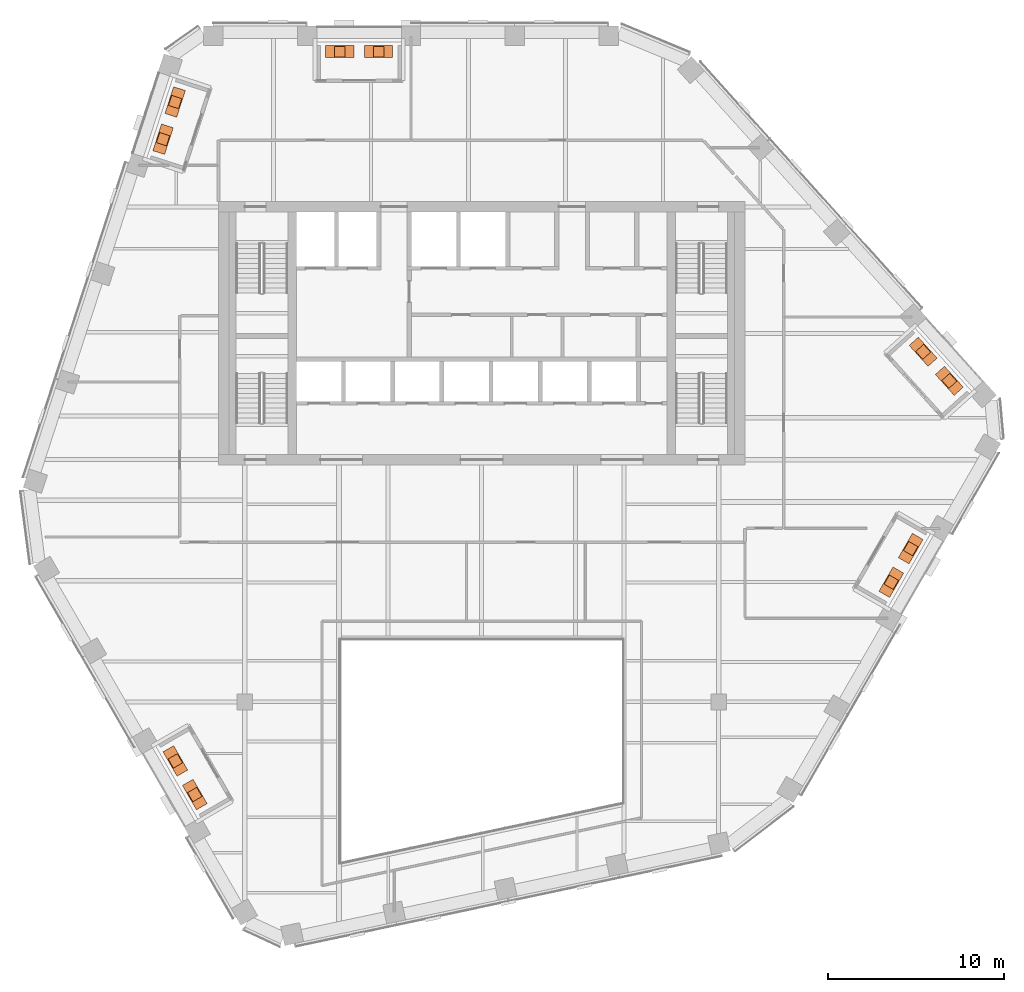
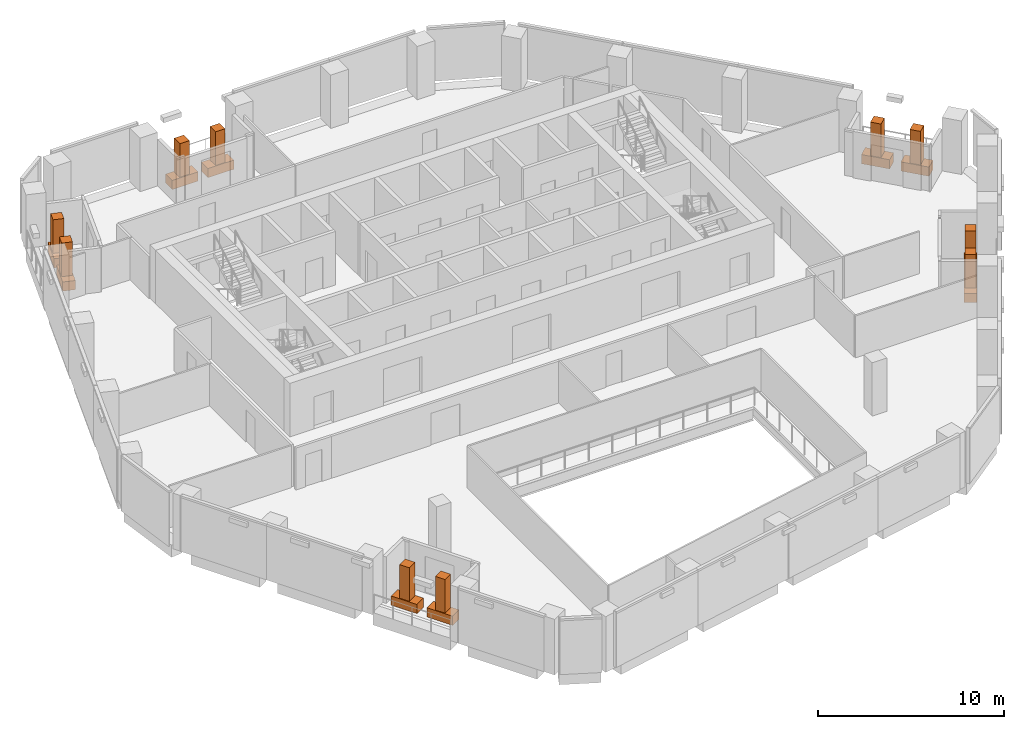
# One storey, part 25 of 25: 10 geographic elements, 10 proxies.
"""IFC4 building model written with IfcOpenShell, lengths in metres."""

from ifc_helpers import new_model, si_unit, direction, frame, origin, origin_2d, place, context, subcontext, project, spatial, rectangle, extrude, material, type_object, element, save


model = new_model("IFC4")

# Units and contexts
model_context = context("Model", 3, precision=1e-05, world=origin(), true_north=direction((0.0, 1.0)))
body_context = subcontext(model_context, "Body", "Model", "MODEL_VIEW")
ifc_project = project(units=[si_unit("LENGTHUNIT", "METRE"), si_unit("AREAUNIT", "SQUARE_METRE"), si_unit("VOLUMEUNIT", "CUBIC_METRE"), si_unit("PLANEANGLEUNIT", "RADIAN"), si_unit("MASSUNIT", "GRAM", prefix="KILO")], contexts=[model_context])

# Site, building, storey
site_placement = place(None, origin())
site = spatial("IfcSite", under=ifc_project, at=site_placement, CompositionType="ELEMENT")
building_placement = place(site_placement, origin())
building = spatial("IfcBuilding", under=site, at=building_placement, Name="Isthmus Gate Tower", CompositionType="ELEMENT")
storey_placement = place(building_placement, frame((0.0, 0.0, 249.14990234375)))
storey = spatial("IfcBuildingStorey", under=building, at=storey_placement, Name="L63", CompositionType="ELEMENT", Elevation=249.14990234375)

# Geographic elements
ifc_material_1 = material(Name="Plant material, broadleaf tree")
geographic_element_type = type_object("IfcGeographicElementType", Name="BROADLEAF TREE 2200 HIGH", PredefinedType="USERDEFINED", material=ifc_material_1)
for number, where, z_axis, x_axis, name in (
    (1, (-5.87890625, 23.550048828125, 0.60009765625), (0.0, 0.0, 1.0), (-1.0, 0.0, 0.0), "TREE"),
    (2, (-8.091796875, 23.550048828125, 0.60009765625), (0.0, 0.0, 1.0), (-1.0, 0.0, 0.0), "TREE"),
    (3, (-17.468994140625, 20.677490234375, 0.60009765625), (0.0, 0.0, 1.0), (-0.309016994375, -0.951056516295, 0.0), "TREE"),
    (4, (-18.1572265625, 18.55908203125, 0.60009765625), (0.0, 0.0, 1.0), (-0.309016994375, -0.951056516295, 0.0), "TREE"),
    (5, (-17.455322265625, -16.8662109375, 0.60009765625), (0.0, 0.0, 1.0), (0.5, -0.866025403784, 0.0), "TREE"),
    (6, (-16.348876953125, -18.78271484375, 0.60009765625), (0.0, 0.0, 1.0), (0.5, -0.866025403784, 0.0), "TREE"),
    (7, (23.33447265625, -6.68359375, 0.60009765625), (0.0, 0.0, 1.0), (0.5, 0.866025403784, 0.0), "TREE"),
    (8, (24.44091796875, -4.767333984375, 0.60009765625), (0.0, 0.0, 1.0), (0.5, 0.866025403784, 0.0), "TREE"),
    (9, (26.6416015625, 4.7900390625, 0.60009765625), (0.0, 0.0, 1.0), (-0.669130606359, 0.743144825477, 0.0), "TREE"),
    (10, (25.1513671875, 6.445068359375, 0.60009765625), (0.0, 0.0, 1.0), (-0.669130606359, 0.743144825477, 0.0), "TREE"),
):
    element("IfcGeographicElement", number, at=place(storey_placement, frame(where, z_axis=z_axis, x_axis=x_axis)), inside=storey, type_object=geographic_element_type, Name=name, ObjectType="TREE", PredefinedType="USERDEFINED", context=body_context, shape_type="SweptSolid", body=[
        extrude(rectangle(XDim=0.60009765625, YDim=0.60009765625, at=origin_2d()), origin(), (0.0, 0.0, 1.0), 2.199951171875),
    ])

# Proxies
ifc_material_2 = material(Name="Concrete f'c 40 MPa", Category="concrete")
building_element_proxy_type = type_object("IfcBuildingElementProxyType", Name="CONCRETE PLANTER 1600 X 700 X 600", PredefinedType="USERDEFINED", material=ifc_material_2)
for number, where, z_axis, x_axis, name in (
    (11, (-5.87890625, 23.550048828125, 0.0), (0.0, 0.0, 1.0), (-1.0, 0.0, 0.0), "PLANTER"),
    (12, (-8.091796875, 23.550048828125, 0.0), (0.0, 0.0, 1.0), (-1.0, 0.0, 0.0), "PLANTER"),
    (13, (-17.468994140625, 20.677490234375, 0.0), (0.0, 0.0, 1.0), (-0.309016994375, -0.951056516295, 0.0), "PLANTER"),
    (14, (-18.1572265625, 18.55908203125, 0.0), (0.0, 0.0, 1.0), (-0.309016994375, -0.951056516295, 0.0), "PLANTER"),
    (15, (-17.455322265625, -16.8662109375, 0.0), (0.0, 0.0, 1.0), (0.5, -0.866025403784, 0.0), "PLANTER"),
    (16, (-16.348876953125, -18.78271484375, 0.0), (0.0, 0.0, 1.0), (0.5, -0.866025403784, 0.0), "PLANTER"),
    (17, (23.33447265625, -6.68359375, 0.0), (0.0, 0.0, 1.0), (0.5, 0.866025403784, 0.0), "PLANTER"),
    (18, (24.44091796875, -4.767333984375, 0.0), (0.0, 0.0, 1.0), (0.5, 0.866025403784, 0.0), "PLANTER"),
    (19, (26.6416015625, 4.7900390625, 0.0), (0.0, 0.0, 1.0), (-0.669130606359, 0.743144825477, 0.0), "PLANTER"),
    (20, (25.1513671875, 6.445068359375, 0.0), (0.0, 0.0, 1.0), (-0.669130606359, 0.743144825477, 0.0), "PLANTER"),
):
    element("IfcBuildingElementProxy", number, at=place(storey_placement, frame(where, z_axis=z_axis, x_axis=x_axis)), inside=storey, type_object=building_element_proxy_type, Name=name, ObjectType="PLANTER", PredefinedType="USERDEFINED", context=body_context, shape_type="SweptSolid", body=[
        extrude(rectangle(XDim=1.60009765625, YDim=0.699951171875, at=origin_2d()), origin(), (0.0, 0.0, 1.0), 0.60009765625),
    ])

save(model, "model.ifc")
